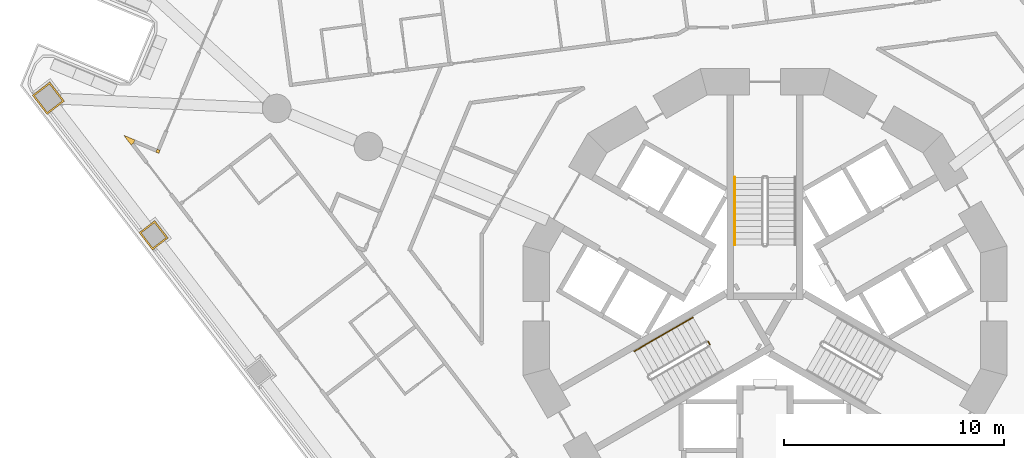
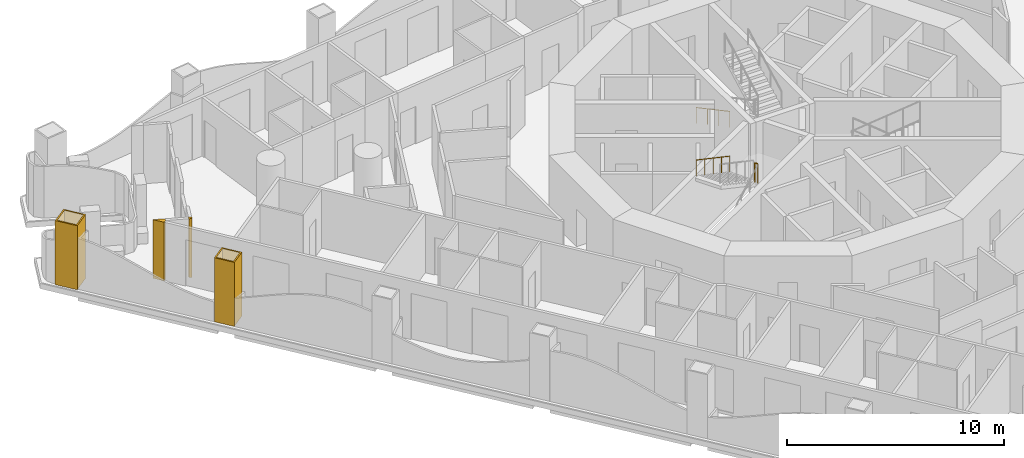
# One storey, part 15 of 19: 4 coverings, 4 railings.
"""IFC4 building model written with IfcOpenShell, lengths in metres."""

import ifcopenshell
import ifcopenshell.guid

model = None  # the IFC model being written
_history = None  # IfcOwnerHistory: only IFC2X3 demands one
_inside = {}  # id of a spatial element -> (the spatial element, [elements in it])
_under = {}  # id of a project, library or spatial element -> (it, [spatial elements below it])
_declared = {}  # id of a project -> (the project, [libraries it declares])
_typed = {}  # id of a type object -> (the type object, [elements of that type])
_made_of = {}  # id of a material, layer set ... -> (it, [elements and type objects made of it])


def new_model(schema):
    """Start an empty IFC model of exactly this schema.

    Asked for "IFC4X3", IfcOpenShell would pick the latest addendum, in which some entities
    have other attributes; the version numbers below select the first issue.
    IFC2X3 requires an IfcOwnerHistory on every rooted entity: one is made here for all.
    """
    global model, _history
    if schema == "IFC4X3":
        model = ifcopenshell.file(schema_version=(4, 3, 0, 0))
    else:
        model = ifcopenshell.file(schema=schema)
    _inside.clear()
    _under.clear()
    _declared.clear()
    _typed.clear()
    _made_of.clear()
    _history = None
    if model.schema == "IFC2X3":
        org = make("IfcOrganization", Name="unknown")
        user = make(
            "IfcPersonAndOrganization",
            ThePerson=make("IfcPerson", FamilyName="unknown"),
            TheOrganization=org,
        )
        app = make(
            "IfcApplication",
            ApplicationDeveloper=org,
            Version="unknown",
            ApplicationFullName="unknown",
            ApplicationIdentifier="unknown",
        )
        _history = make(
            "IfcOwnerHistory",
            OwningUser=user,
            OwningApplication=app,
            ChangeAction="ADDED",
            CreationDate=0,
        )
    return model


def make(cls, **values):
    """One entity of the class cls with the attributes given. An attribute that is None is left unset."""
    return model.create_entity(
        cls, **{name: value for name, value in values.items() if value is not None}
    )


def rooted(cls, **values):
    """An entity with a GlobalId (a new one), such as an element, a storey or a relation."""
    return make(cls, GlobalId=ifcopenshell.guid.new(), OwnerHistory=_history, **values)


def si_unit(unit_type, name, prefix=None):
    """IfcSIUnit, for example si_unit("LENGTHUNIT", "METRE", prefix="MILLI")."""
    return make("IfcSIUnit", UnitType=unit_type, Prefix=prefix, Name=name)


def assignment(units):
    """IfcUnitAssignment: the units of a project."""
    return None if units is None else make("IfcUnitAssignment", Units=units)


def point(xyz):
    """IfcCartesianPoint."""
    return None if xyz is None else make("IfcCartesianPoint", Coordinates=xyz)


def direction(xyz):
    """IfcDirection."""
    return None if xyz is None else make("IfcDirection", DirectionRatios=xyz)


def frame(location, z_axis=None, x_axis=None):
    """IfcAxis2Placement3D, a coordinate frame: its origin and axes. An axis left out is left unset."""
    return make(
        "IfcAxis2Placement3D",
        Location=point(location),
        Axis=direction(z_axis),
        RefDirection=direction(x_axis),
    )


def frame_2d(location, x_axis=None):
    """IfcAxis2Placement2D, a coordinate frame in the plane: its origin and x axis."""
    return make(
        "IfcAxis2Placement2D", Location=point(location), RefDirection=direction(x_axis)
    )


def origin():
    """The frame at (0, 0, 0) with its axes left unset."""
    return frame((0.0, 0.0, 0.0))


def origin_2d():
    """The frame at (0, 0) in the plane with its x axis left unset."""
    return frame_2d((0.0, 0.0))


def place(relative_to, where):
    """IfcLocalPlacement: puts the frame where relative to a parent placement (None: the world)."""
    return make(
        "IfcLocalPlacement", PlacementRelTo=relative_to, RelativePlacement=where
    )


def context(
    kind, dimensions, precision=None, world=None, true_north=None, identifier=None
):
    """IfcGeometricRepresentationContext, for example the 3D "Model" context."""
    return make(
        "IfcGeometricRepresentationContext",
        ContextIdentifier=identifier,
        ContextType=kind,
        CoordinateSpaceDimension=dimensions,
        Precision=precision,
        WorldCoordinateSystem=world,
        TrueNorth=true_north,
    )


def subcontext(parent, identifier, kind, view, scale=None):
    """IfcGeometricRepresentationSubContext, for example "Body" below "Model"."""
    return make(
        "IfcGeometricRepresentationSubContext",
        ContextIdentifier=identifier,
        ContextType=kind,
        ParentContext=parent,
        TargetScale=scale,
        TargetView=view,
    )


def project(units=None, contexts=None):
    """IfcProject with its units and contexts."""
    return rooted(
        "IfcProject",
        Name="project",
        RepresentationContexts=contexts,
        UnitsInContext=assignment(units),
    )


def spatial(cls, under=None, at=None, **own):
    """A site, building, storey or space (cls), placed at a placement, below another one or the project."""
    s = rooted(cls, ObjectPlacement=at, **own)
    if under is not None:
        _under.setdefault(under.id(), (under, []))[1].append(s)
    return s


def polyline(points):
    """IfcPolyline through the points."""
    return make("IfcPolyline", Points=[point(p) for p in points])


def profile(cls, at=None, kind="AREA", **sizes):
    """A parametric profile (cls). Its sizes go by their IFC names, for example OverallWidth=200.0."""
    return make(cls, ProfileType=kind, Position=at, **sizes)


def circle(**sizes):
    """IfcCircleProfileDef."""
    return profile("IfcCircleProfileDef", **sizes)


def outline(outer, holes=None, kind="AREA"):
    """IfcArbitraryClosedProfileDef: a profile drawn as a closed curve; with holes, ...WithVoids."""
    if holes is None:
        return make("IfcArbitraryClosedProfileDef", ProfileType=kind, OuterCurve=outer)
    return make(
        "IfcArbitraryProfileDefWithVoids",
        ProfileType=kind,
        OuterCurve=outer,
        InnerCurves=holes,
    )


def extrude(swept, where, along, depth):
    """IfcExtrudedAreaSolid: the profile swept, set in the frame where, extruded along a direction by depth."""
    return make(
        "IfcExtrudedAreaSolid",
        SweptArea=swept,
        Position=where,
        ExtrudedDirection=direction(along),
        Depth=depth,
    )


def shape(context_of_items, identifier, shape_type, items):
    """IfcShapeRepresentation: the items that make up one representation, for example the "Body"."""
    return make(
        "IfcShapeRepresentation",
        ContextOfItems=context_of_items,
        RepresentationIdentifier=identifier,
        RepresentationType=shape_type,
        Items=items,
    )


def material(Name=None, Category=None):
    """IfcMaterial."""
    return make("IfcMaterial", Name=Name, Category=Category)


def layer(
    of_material, thickness, ventilated=None, Name=None, Category=None, Priority=None
):
    """IfcMaterialLayer: one layer of a wall or slab, of a material (None: an air gap)."""
    return make(
        "IfcMaterialLayer",
        Material=of_material,
        LayerThickness=thickness,
        IsVentilated=ventilated,
        Name=Name,
        Category=Category,
        Priority=Priority,
    )


def layer_set(layers, Name=None):
    """IfcMaterialLayerSet."""
    return make("IfcMaterialLayerSet", MaterialLayers=layers, LayerSetName=Name)


def made_of(thing, what):
    """Note that an element or type object is made of a material, layer set ...; save() writes the relation."""
    if what is not None:
        _made_of.setdefault(what.id(), (what, []))[1].append(thing)
    return thing


def type_object(cls, material=None, **own):
    """A type object (cls), such as IfcWallType, which elements share."""
    return made_of(rooted(cls, **own), material)


def element(
    cls,
    number,
    at=None,
    inside=None,
    cuts=None,
    type_object=None,
    material=None,
    context=None,
    identifier="Body",
    shape_type=None,
    held_by="IfcProductDefinitionShape",
    body=None,
    shapes=None,
    **own,
):
    """One element of the class cls, such as IfcWall. Its Tag is "e" and its number.

    at: its placement. inside: the storey or other place that contains it. cuts: it is an
    opening in that element (IfcRelVoidsElement). A single representation is given by context,
    identifier, shape_type and body (its items); several are given by shapes. held_by: the class
    of the entity that holds the representations. save() writes the other relations.
    """
    e = rooted(cls, Tag="e%d" % number, ObjectPlacement=at, **own)
    if body is not None:
        shapes = [shape(context, identifier, shape_type, body)]
    if shapes is not None:
        e.Representation = make(held_by, Representations=shapes)
    if inside is not None:
        _inside.setdefault(inside.id(), (inside, []))[1].append(e)
    if cuts is not None:
        rooted(
            "IfcRelVoidsElement", RelatingBuildingElement=cuts, RelatedOpeningElement=e
        )
    if type_object is not None:
        _typed.setdefault(type_object.id(), (type_object, []))[1].append(e)
    return made_of(e, material)


def aggregate(whole, parts):
    """IfcRelAggregates: a whole, such as a stair, and the parts it consists of."""
    return rooted("IfcRelAggregates", RelatingObject=whole, RelatedObjects=parts)


def save(model, path):
    """Write the relations noted so far, then the file.

    IfcRelAggregates (storeys below a building ...), IfcRelContainedInSpatialStructure (elements
    in a storey), IfcRelDefinesByType, IfcRelAssociatesMaterial and IfcRelDeclares: one each for
    every whole, place, type object, material and project.
    """
    for whole, parts in _under.values():
        aggregate(whole, parts)
    for where, things in _inside.values():
        rooted(
            "IfcRelContainedInSpatialStructure",
            RelatedElements=things,
            RelatingStructure=where,
        )
    for kind, things in _typed.values():
        rooted("IfcRelDefinesByType", RelatedObjects=things, RelatingType=kind)
    for what, things in _made_of.values():
        rooted("IfcRelAssociatesMaterial", RelatedObjects=things, RelatingMaterial=what)
    for by, libraries in _declared.values():
        rooted("IfcRelDeclares", RelatingContext=by, RelatedDefinitions=libraries)
    model.write(path)


model = new_model("IFC4")

# Units and contexts
model_context = context("Model", 3, precision=1e-05, world=origin(), true_north=direction((0.0, 1.0)))
body_context = subcontext(model_context, "Body", "Model", "MODEL_VIEW")
ifc_project = project(units=[si_unit("LENGTHUNIT", "METRE"), si_unit("AREAUNIT", "SQUARE_METRE"), si_unit("VOLUMEUNIT", "CUBIC_METRE"), si_unit("PLANEANGLEUNIT", "RADIAN"), si_unit("MASSUNIT", "GRAM", prefix="KILO")], contexts=[model_context])

# Site, building, storey
site_placement = place(None, origin())
site = spatial("IfcSite", under=ifc_project, at=site_placement, CompositionType="ELEMENT")
building_placement = place(site_placement, origin())
building = spatial("IfcBuilding", under=site, at=building_placement, Name="Trine Commons Tower", CompositionType="ELEMENT")
storey_placement = place(building_placement, frame((0.0, 0.0, 75.60009765625)))
storey = spatial("IfcBuildingStorey", under=building, at=storey_placement, Name="L18", CompositionType="ELEMENT", Elevation=75.60009765625)

# Coverings
ifc_material_1 = material(Name="Aluminium-framed insulated wall panel", Category="aluminium")
ifc_layer_1 = layer(ifc_material_1, 0.14990234375)
ifc_layer_set_1 = layer_set([ifc_layer_1], Name="Aluminium-framed insulated wall panel")
covering_type_1 = type_object("IfcCoveringType", Name="Glazing corner post, aluminium", PredefinedType="CLADDING", material=ifc_layer_set_1)
covering_1_placement = place(storey_placement, origin())
element("IfcCovering", 1, at=covering_1_placement, inside=storey, type_object=covering_type_1, Name="Glazing corner post 2-01", PredefinedType="CLADDING", context=body_context, shape_type="SweptSolid", body=[
    extrude(outline(polyline([(51.165771484375, 70.038330078125), (51.28466796875, 70.129638671875), (51.342041015625, 70.268310546875), (50.824951171875, 70.482421875), (51.165771484375, 70.038330078125)])), origin(), (0.0, 0.0, 1.0), 3.2998046875),
])
covering_2_placement = place(storey_placement, origin())
element("IfcCovering", 2, at=covering_2_placement, inside=storey, type_object=covering_type_1, Name="Glazing corner post 2-02", PredefinedType="CLADDING", context=body_context, shape_type="SweptSolid", body=[
    extrude(outline(polyline([(52.28759765625, 69.714111328125), (52.42626953125, 69.65673828125), (52.483642578125, 69.79541015625), (52.34521484375, 69.852783203125), (52.28759765625, 69.714111328125)])), origin(), (0.0, 0.0, 1.0), 3.2998046875),
])
ifc_material_2 = material(Name="Limestone, honed", Category="masonry")
ifc_layer_2 = layer(ifc_material_2, 0.074951171875)
ifc_layer_set_2 = layer_set([ifc_layer_2], Name="Limestone, honed")
covering_type_2 = type_object("IfcCoveringType", Name="Limestone column cladding 75", PredefinedType="CLADDING", material=ifc_layer_set_2)
covering_3_placement = place(storey_placement, origin())
element("IfcCovering", 3, at=covering_3_placement, inside=storey, type_object=covering_type_2, Name="Limestone pier cladding 2-07", PredefinedType="CLADDING", context=body_context, shape_type="SweptSolid", body=[
    extrude(outline(polyline([(52.240966796875, 66.599853515625), (51.527099609375, 66.052001953125), (52.1357421875, 65.2587890625), (52.849853515625, 65.806640625), (52.240966796875, 66.599853515625)]), holes=[polyline([(52.227294921875, 66.494873046875), (51.632080078125, 66.0380859375), (52.149658203125, 65.36376953125), (52.74462890625, 65.8203125), (52.227294921875, 66.494873046875)])]), origin(), (0.0, 0.0, 1.0), 3.599853515625),
])
covering_4_placement = place(storey_placement, origin())
element("IfcCovering", 4, at=covering_4_placement, inside=storey, type_object=covering_type_2, Name="Limestone pier cladding 2-08", PredefinedType="CLADDING", context=body_context, shape_type="SweptSolid", body=[
    extrude(outline(polyline([(47.465087890625, 72.90625), (46.671630859375, 72.297607421875), (47.34130859375, 71.4248046875), (48.134765625, 72.033447265625), (47.465087890625, 72.90625)]), holes=[polyline([(47.451171875, 72.801025390625), (46.77685546875, 72.28369140625), (47.355224609375, 71.52978515625), (48.029541015625, 72.04736328125), (47.451171875, 72.801025390625)])]), origin(), (0.0, 0.0, 1.0), 3.599853515625),
])

# Railings
ifc_material_3 = material(Name="Stainless steel balustrade", Category="steel")
railing_type_1 = type_object("IfcRailingType", Name="Stair guard, steel balustrade 1100", PredefinedType="GUARDRAIL", material=ifc_material_3)
railing_1_placement = place(storey_placement, frame((77.490966796875, 60.96484375, 1.7998046875)))
element("IfcRailing", 5, at=railing_1_placement, inside=storey, type_object=railing_type_1, Name="L18 ST2A stair guard 2", PredefinedType="GUARDRAIL", context=body_context, shape_type="SweptSolid", body=[
    extrude(circle(Radius=0.02392578125, at=origin_2d()), frame((0.0, 0.0, 1.076171875), z_axis=(-0.501036270542, 0.865426285481, 0.0), x_axis=(-0.865426285481, -0.501036270542, 0.0)), (0.0, 0.0, 1.0), 0.150146484375),
    extrude(circle(Radius=0.02099609375, at=origin_2d()), origin(), (0.0, 0.0, 1.0), 1.052001953125),
    extrude(circle(Radius=0.02099609375, at=origin_2d()), frame((-0.0751953125, 0.1298828125, 0.0)), (0.0, 0.0, 1.0), 1.052001953125),
])
ifc_material_4 = material(Name="Stainless steel handrail", Category="steel")
railing_type_2 = type_object("IfcRailingType", Name="Stair handrail, steel 900", PredefinedType="HANDRAIL", material=ifc_material_4)
railing_2_placement = place(storey_placement, frame((78.625, 68.570556640625, 0.14990234375)))
element("IfcRailing", 6, at=railing_2_placement, inside=storey, type_object=railing_type_2, Name="L18 ST1A stair handrail 1", PredefinedType="HANDRAIL", context=body_context, shape_type="SweptSolid", body=[
    extrude(circle(Radius=0.02099609375, at=origin_2d()), frame((0.0, 0.0, 0.87890625), z_axis=(0.0, -0.881496589024, 0.472190389079), x_axis=(1.0, 0.0, 0.0)), (0.0, 0.0, 1.0), 3.494140625),
    extrude(circle(Radius=0.01513671875, at=origin_2d()), origin(), (0.0, 0.0, 1.0), 0.85791015625),
    extrude(circle(Radius=0.01513671875, at=origin_2d()), frame((0.0, -1.026611328125, 0.550048828125)), (0.0, 0.0, 1.0), 0.85791015625),
    extrude(circle(Radius=0.01513671875, at=origin_2d()), frame((0.0, -2.053466796875, 1.099853515625)), (0.0, 0.0, 1.0), 0.85791015625),
    extrude(circle(Radius=0.01513671875, at=origin_2d()), frame((0.0, -3.080078125, 1.64990234375)), (0.0, 0.0, 1.0), 0.85791015625),
])
for number, where, name in (
    (7, (76.72265625, 62.195556640625, 1.949951171875), "L18 ST2A stair handrail 3"),
    (8, (75.388916015625, 61.425537109375, 2.77490234375), "L18 ST2A stair handrail 4"),
):
    element("IfcRailing", number, at=place(storey_placement, frame(where)), inside=storey, type_object=railing_type_2, Name=name, PredefinedType="HANDRAIL", context=body_context, shape_type="SweptSolid", body=[
        extrude(circle(Radius=0.02099609375, at=origin_2d()), frame((0.0, 0.0, 0.87890625), z_axis=(-0.76340495495, -0.440743040072, 0.472184759798), x_axis=(0.499992328818, -0.866029832698, 0.0)), (0.0, 0.0, 1.0), 1.7470703125),
        extrude(circle(Radius=0.01513671875, at=origin_2d()), origin(), (0.0, 0.0, 1.0), 0.85791015625),
        extrude(circle(Radius=0.01513671875, at=origin_2d()), frame((-0.6669921875, -0.385009765625, 0.41259765625)), (0.0, 0.0, 1.0), 0.85791015625),
        extrude(circle(Radius=0.01513671875, at=origin_2d()), frame((-1.333740234375, -0.77001953125, 0.824951171875)), (0.0, 0.0, 1.0), 0.85791015625),
    ])

save(model, "model.ifc")
